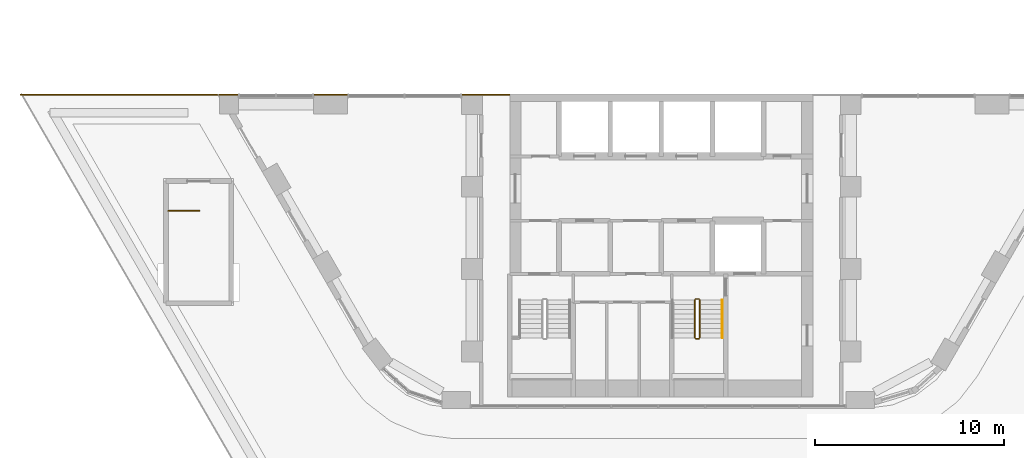
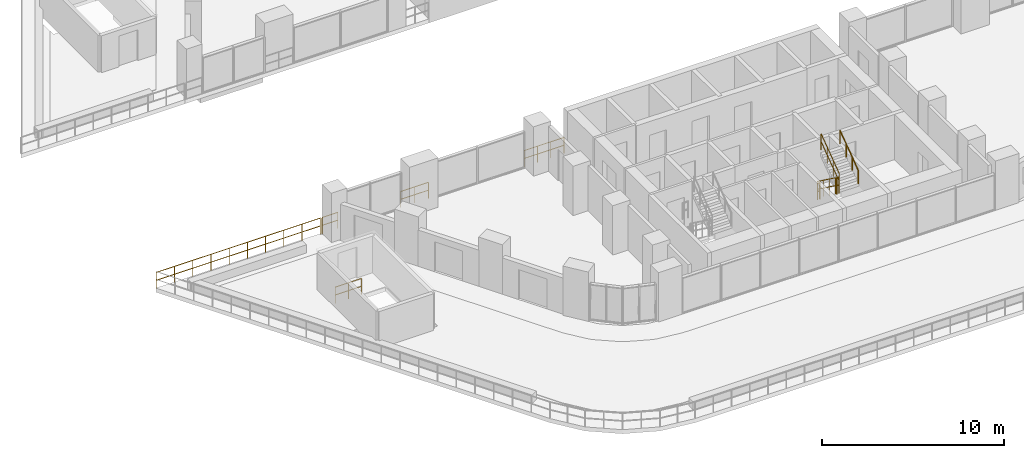
# One storey, part 19 of 24: 10 railings.
"""IFC4 building model written with IfcOpenShell, lengths in metres."""

from ifc_helpers import new_model, si_unit, direction, frame, origin, origin_2d, place, context, subcontext, project, spatial, circle, extrude, material, type_object, element, save


model = new_model("IFC4")

# Units and contexts
model_context = context("Model", 3, precision=1e-05, world=origin(), true_north=direction((0.0, 1.0)))
body_context = subcontext(model_context, "Body", "Model", "MODEL_VIEW")
ifc_project = project(units=[si_unit("LENGTHUNIT", "METRE"), si_unit("AREAUNIT", "SQUARE_METRE"), si_unit("VOLUMEUNIT", "CUBIC_METRE"), si_unit("PLANEANGLEUNIT", "RADIAN"), si_unit("MASSUNIT", "GRAM", prefix="KILO")], contexts=[model_context])

# Site, building, storey
site_placement = place(None, origin())
site = spatial("IfcSite", under=ifc_project, at=site_placement, CompositionType="ELEMENT")
building_placement = place(site_placement, origin())
building = spatial("IfcBuilding", under=site, at=building_placement, Name="Nakaniwa Court", CompositionType="ELEMENT")
storey_placement = place(building_placement, frame((0.0, 0.0, 28.199951171875)))
storey = spatial("IfcBuildingStorey", under=building, at=storey_placement, Name="L06", CompositionType="ELEMENT", Elevation=28.199951171875)

# Railings
ifc_material_1 = material(Name="Black powder-coated steel flat bar balustrade S275", Category="steel")
railing_type_1 = type_object("IfcRailingType", Name="Black metal terrace guard 1100", PredefinedType="GUARDRAIL", material=ifc_material_1)
railing_1_placement = place(storey_placement, frame((56.5595703125, 72.550048828125, 0.0)))
element("IfcRailing", 1, at=railing_1_placement, inside=storey, type_object=railing_type_1, Name="L06 play deck 1 guard 3", PredefinedType="GUARDRAIL", context=body_context, shape_type="SweptSolid", body=[
    extrude(circle(Radius=0.02392578125, at=origin_2d()), frame((0.0, 0.0, 1.076171875), z_axis=(-1.0, 0.0, 0.0), x_axis=(0.0, -1.0, 0.0)), (0.0, 0.0, 1.0), 10.392333984375),
    extrude(circle(Radius=0.02392578125, at=origin_2d()), frame((0.0, 0.0, 0.550048828125), z_axis=(-1.0, 0.0, 0.0), x_axis=(0.0, -1.0, 0.0)), (0.0, 0.0, 1.0), 10.392333984375),
    extrude(circle(Radius=0.02099609375, at=origin_2d()), origin(), (0.0, 0.0, 1.0), 1.052001953125),
    extrude(circle(Radius=0.02099609375, at=origin_2d()), frame((-1.15478515625, 0.0, 0.0)), (0.0, 0.0, 1.0), 1.052001953125),
    extrude(circle(Radius=0.02099609375, at=origin_2d()), frame((-2.309326171875, 0.0, 0.0)), (0.0, 0.0, 1.0), 1.052001953125),
    extrude(circle(Radius=0.02099609375, at=origin_2d()), frame((-3.464111328125, 0.0, 0.0)), (0.0, 0.0, 1.0), 1.052001953125),
    extrude(circle(Radius=0.02099609375, at=origin_2d()), frame((-4.618896484375, 0.0, 0.0)), (0.0, 0.0, 1.0), 1.052001953125),
    extrude(circle(Radius=0.02099609375, at=origin_2d()), frame((-5.7734375, 0.0, 0.0)), (0.0, 0.0, 1.0), 1.052001953125),
    extrude(circle(Radius=0.02099609375, at=origin_2d()), frame((-6.92822265625, 0.0, 0.0)), (0.0, 0.0, 1.0), 1.052001953125),
    extrude(circle(Radius=0.02099609375, at=origin_2d()), frame((-8.0830078125, 0.0, 0.0)), (0.0, 0.0, 1.0), 1.052001953125),
    extrude(circle(Radius=0.02099609375, at=origin_2d()), frame((-9.237548828125, 0.0, 0.0)), (0.0, 0.0, 1.0), 1.052001953125),
    extrude(circle(Radius=0.02099609375, at=origin_2d()), frame((-10.392333984375, 0.0, 0.0)), (0.0, 0.0, 1.0), 1.052001953125),
])
ifc_material_2 = material(Name="Black powder coated steel guard", Category="steel")
railing_type_2 = type_object("IfcRailingType", Name="Stair guard 1100", PredefinedType="GUARDRAIL", material=ifc_material_2)
railing_2_placement = place(storey_placement, frame((81.77490234375, 61.72509765625, 0.183349609375)))
element("IfcRailing", 2, at=railing_2_placement, inside=storey, type_object=railing_type_2, Name="L06 ST4 stair guard 1", PredefinedType="GUARDRAIL", context=body_context, shape_type="SweptSolid", body=[
    extrude(circle(Radius=0.02392578125, at=origin_2d()), frame((0.0, 0.0, 1.076171875), z_axis=(0.0, -0.806379959628, 0.591397802423), x_axis=(1.0, 0.0, 0.0)), (0.0, 0.0, 1.0), 2.480224609375),
    extrude(circle(Radius=0.02392578125, at=origin_2d()), frame((0.0, 0.0, 0.550048828125), z_axis=(0.0, -0.806379959628, 0.591397802423), x_axis=(1.0, 0.0, 0.0)), (0.0, 0.0, 1.0), 2.480224609375),
    extrude(circle(Radius=0.02099609375, at=origin_2d()), origin(), (0.0, 0.0, 1.0), 1.052001953125),
    extrude(circle(Radius=0.02099609375, at=origin_2d()), frame((0.0, -0.666748046875, 0.489013671875)), (0.0, 0.0, 1.0), 1.052001953125),
    extrude(circle(Radius=0.02099609375, at=origin_2d()), frame((0.0, -1.333251953125, 0.977783203125)), (0.0, 0.0, 1.0), 1.052001953125),
    extrude(circle(Radius=0.02099609375, at=origin_2d()), frame((0.0, -2.0, 1.466796875)), (0.0, 0.0, 1.0), 1.052001953125),
])
railing_3_placement = place(storey_placement, frame((81.824951171875, 59.675048828125, 1.650146484375)))
element("IfcRailing", 3, at=railing_3_placement, inside=storey, type_object=railing_type_2, Name="L06 ST4 stair guard 2", PredefinedType="GUARDRAIL", context=body_context, shape_type="SweptSolid", body=[
    extrude(circle(Radius=0.02392578125, at=origin_2d()), frame((0.0, 0.0, 1.076171875), z_axis=(1.0, 0.0, 0.0), x_axis=(0.0, 1.0, 0.0)), (0.0, 0.0, 1.0), 0.150146484375),
    extrude(circle(Radius=0.02392578125, at=origin_2d()), frame((0.0, 0.0, 0.550048828125), z_axis=(1.0, 0.0, 0.0), x_axis=(0.0, 1.0, 0.0)), (0.0, 0.0, 1.0), 0.150146484375),
    extrude(circle(Radius=0.02099609375, at=origin_2d()), origin(), (0.0, 0.0, 1.0), 1.052001953125),
    extrude(circle(Radius=0.02099609375, at=origin_2d()), frame((0.150146484375, 0.0, 0.0)), (0.0, 0.0, 1.0), 1.052001953125),
])
railing_4_placement = place(storey_placement, frame((82.02490234375, 59.72509765625, 1.83349609375)))
element("IfcRailing", 4, at=railing_4_placement, inside=storey, type_object=railing_type_2, Name="L06 ST4 stair guard 3", PredefinedType="GUARDRAIL", context=body_context, shape_type="SweptSolid", body=[
    extrude(circle(Radius=0.02392578125, at=origin_2d()), frame((0.0, 0.0, 1.076171875), z_axis=(0.0, 0.806426902644, 0.591333789573), x_axis=(-1.0, 0.0, 0.0)), (0.0, 0.0, 1.0), 2.47998046875),
    extrude(circle(Radius=0.02392578125, at=origin_2d()), frame((0.0, 0.0, 0.550048828125), z_axis=(0.0, 0.806426902644, 0.591333789573), x_axis=(-1.0, 0.0, 0.0)), (0.0, 0.0, 1.0), 2.47998046875),
    extrude(circle(Radius=0.02099609375, at=origin_2d()), origin(), (0.0, 0.0, 1.0), 1.052001953125),
    extrude(circle(Radius=0.02099609375, at=origin_2d()), frame((0.0, 0.666748046875, 0.48876953125)), (0.0, 0.0, 1.0), 1.052001953125),
    extrude(circle(Radius=0.02099609375, at=origin_2d()), frame((0.0, 1.333251953125, 0.977783203125)), (0.0, 0.0, 1.0), 1.052001953125),
    extrude(circle(Radius=0.02099609375, at=origin_2d()), frame((0.0, 2.0, 1.466552734375)), (0.0, 0.0, 1.0), 1.052001953125),
])
railing_5_placement = place(storey_placement, frame((81.824951171875, 61.77490234375, 0.0)))
element("IfcRailing", 5, at=railing_5_placement, inside=storey, type_object=railing_type_2, Name="L06 ST4 stair guard 4", PredefinedType="GUARDRAIL", context=body_context, shape_type="SweptSolid", body=[
    extrude(circle(Radius=0.02392578125, at=origin_2d()), frame((0.0, 0.0, 1.076171875), z_axis=(1.0, 0.0, 0.0), x_axis=(0.0, 1.0, 0.0)), (0.0, 0.0, 1.0), 0.150146484375),
    extrude(circle(Radius=0.02392578125, at=origin_2d()), frame((0.0, 0.0, 0.550048828125), z_axis=(1.0, 0.0, 0.0), x_axis=(0.0, 1.0, 0.0)), (0.0, 0.0, 1.0), 0.150146484375),
    extrude(circle(Radius=0.02099609375, at=origin_2d()), origin(), (0.0, 0.0, 1.0), 1.052001953125),
    extrude(circle(Radius=0.02099609375, at=origin_2d()), frame((0.150146484375, 0.0, 0.0)), (0.0, 0.0, 1.0), 1.052001953125),
])
railing_6_placement = place(storey_placement, frame((53.97509765625, 66.425048828125, 0.0)))
element("IfcRailing", 6, at=railing_6_placement, inside=storey, type_object=railing_type_2, Name="L06 SS4 top well guard 1", PredefinedType="GUARDRAIL", context=body_context, shape_type="SweptSolid", body=[
    extrude(circle(Radius=0.02392578125, at=origin_2d()), frame((0.0, 0.0, 1.076171875), z_axis=(1.0, 0.0, 0.0), x_axis=(0.0, 1.0, 0.0)), (0.0, 0.0, 1.0), 1.64990234375),
    extrude(circle(Radius=0.02392578125, at=origin_2d()), frame((0.0, 0.0, 0.550048828125), z_axis=(1.0, 0.0, 0.0), x_axis=(0.0, 1.0, 0.0)), (0.0, 0.0, 1.0), 1.64990234375),
    extrude(circle(Radius=0.02099609375, at=origin_2d()), origin(), (0.0, 0.0, 1.0), 1.052001953125),
    extrude(circle(Radius=0.02099609375, at=origin_2d()), frame((0.824951171875, 0.0, 0.0)), (0.0, 0.0, 1.0), 1.052001953125),
    extrude(circle(Radius=0.02099609375, at=origin_2d()), frame((1.64990234375, 0.0, 0.0)), (0.0, 0.0, 1.0), 1.052001953125),
])
railing_7_placement = place(storey_placement, frame((56.6689453125, 72.550048828125, 0.0)))
element("IfcRailing", 7, at=railing_7_placement, inside=storey, type_object=railing_type_2, Name="GUARD GD-L06-101", PredefinedType="GUARDRAIL", context=body_context, shape_type="SweptSolid", body=[
    extrude(circle(Radius=0.02392578125, at=origin_2d()), frame((0.0, 0.0, 1.076171875), z_axis=(1.0, 0.0, 0.0), x_axis=(0.0, 1.0, 0.0)), (0.0, 0.0, 1.0), 0.988037109375),
    extrude(circle(Radius=0.02392578125, at=origin_2d()), frame((0.0, 0.0, 0.550048828125), z_axis=(1.0, 0.0, 0.0), x_axis=(0.0, 1.0, 0.0)), (0.0, 0.0, 1.0), 0.988037109375),
    extrude(circle(Radius=0.02099609375, at=origin_2d()), origin(), (0.0, 0.0, 1.0), 1.052001953125),
    extrude(circle(Radius=0.02099609375, at=origin_2d()), frame((0.988037109375, 0.0, 0.0)), (0.0, 0.0, 1.0), 1.052001953125),
])
railing_8_placement = place(storey_placement, frame((61.65625, 72.550048828125, 0.0)))
element("IfcRailing", 8, at=railing_8_placement, inside=storey, type_object=railing_type_2, Name="GUARD GD-L06-102", PredefinedType="GUARDRAIL", context=body_context, shape_type="SweptSolid", body=[
    extrude(circle(Radius=0.02392578125, at=origin_2d()), frame((0.0, 0.0, 1.076171875), z_axis=(1.0, 0.0, 0.0), x_axis=(0.0, 1.0, 0.0)), (0.0, 0.0, 1.0), 1.75634765625),
    extrude(circle(Radius=0.02392578125, at=origin_2d()), frame((0.0, 0.0, 0.550048828125), z_axis=(1.0, 0.0, 0.0), x_axis=(0.0, 1.0, 0.0)), (0.0, 0.0, 1.0), 1.75634765625),
    extrude(circle(Radius=0.02099609375, at=origin_2d()), origin(), (0.0, 0.0, 1.0), 1.052001953125),
    extrude(circle(Radius=0.02099609375, at=origin_2d()), frame((0.878173828125, 0.0, 0.0)), (0.0, 0.0, 1.0), 1.052001953125),
    extrude(circle(Radius=0.02099609375, at=origin_2d()), frame((1.75634765625, 0.0, 0.0)), (0.0, 0.0, 1.0), 1.052001953125),
])
railing_9_placement = place(storey_placement, frame((69.47607421875, 72.550048828125, 0.0)))
element("IfcRailing", 9, at=railing_9_placement, inside=storey, type_object=railing_type_2, Name="GUARD GD-L06-103", PredefinedType="GUARDRAIL", context=body_context, shape_type="SweptSolid", body=[
    extrude(circle(Radius=0.02392578125, at=origin_2d()), frame((0.0, 0.0, 1.076171875), z_axis=(1.0, 0.0, 0.0), x_axis=(0.0, 1.0, 0.0)), (0.0, 0.0, 1.0), 2.514892578125),
    extrude(circle(Radius=0.02392578125, at=origin_2d()), frame((0.0, 0.0, 0.550048828125), z_axis=(1.0, 0.0, 0.0), x_axis=(0.0, 1.0, 0.0)), (0.0, 0.0, 1.0), 2.514892578125),
    extrude(circle(Radius=0.02099609375, at=origin_2d()), origin(), (0.0, 0.0, 1.0), 1.052001953125),
    extrude(circle(Radius=0.02099609375, at=origin_2d()), frame((0.83837890625, 0.0, 0.0)), (0.0, 0.0, 1.0), 1.052001953125),
    extrude(circle(Radius=0.02099609375, at=origin_2d()), frame((1.676513671875, 0.0, 0.0)), (0.0, 0.0, 1.0), 1.052001953125),
    extrude(circle(Radius=0.02099609375, at=origin_2d()), frame((2.514892578125, 0.0, 0.0)), (0.0, 0.0, 1.0), 1.052001953125),
])
ifc_material_3 = material(Name="Black powder coated steel handrail", Category="steel")
railing_type_3 = type_object("IfcRailingType", Name="Stair handrail 900", PredefinedType="HANDRAIL", material=ifc_material_3)
railing_10_placement = place(storey_placement, frame((83.22509765625, 59.72509765625, 1.83349609375)))
element("IfcRailing", 10, at=railing_10_placement, inside=storey, type_object=railing_type_3, Name="L06 ST4 stair handrail 2", PredefinedType="HANDRAIL", context=body_context, shape_type="SweptSolid", body=[
    extrude(circle(Radius=0.02392578125, at=origin_2d()), frame((0.0, 0.0, 0.8759765625), z_axis=(0.0, 0.806426902644, 0.591333789573), x_axis=(-1.0, 0.0, 0.0)), (0.0, 0.0, 1.0), 2.47998046875),
    extrude(circle(Radius=0.02099609375, at=origin_2d()), origin(), (0.0, 0.0, 1.0), 0.851806640625),
    extrude(circle(Radius=0.02099609375, at=origin_2d()), frame((0.0, 0.666748046875, 0.48876953125)), (0.0, 0.0, 1.0), 0.851806640625),
    extrude(circle(Radius=0.02099609375, at=origin_2d()), frame((0.0, 1.333251953125, 0.977783203125)), (0.0, 0.0, 1.0), 0.851806640625),
    extrude(circle(Radius=0.02099609375, at=origin_2d()), frame((0.0, 2.0, 1.466552734375)), (0.0, 0.0, 1.0), 0.851806640625),
])

save(model, "model.ifc")
